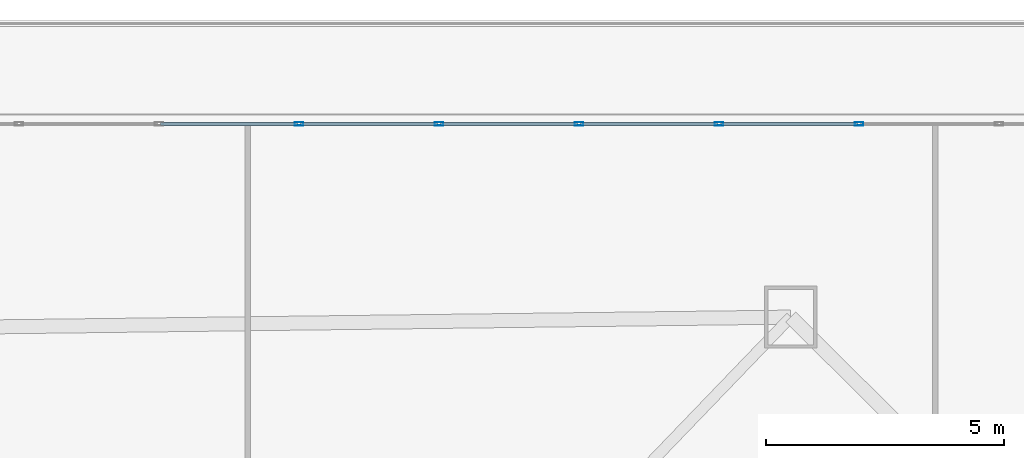
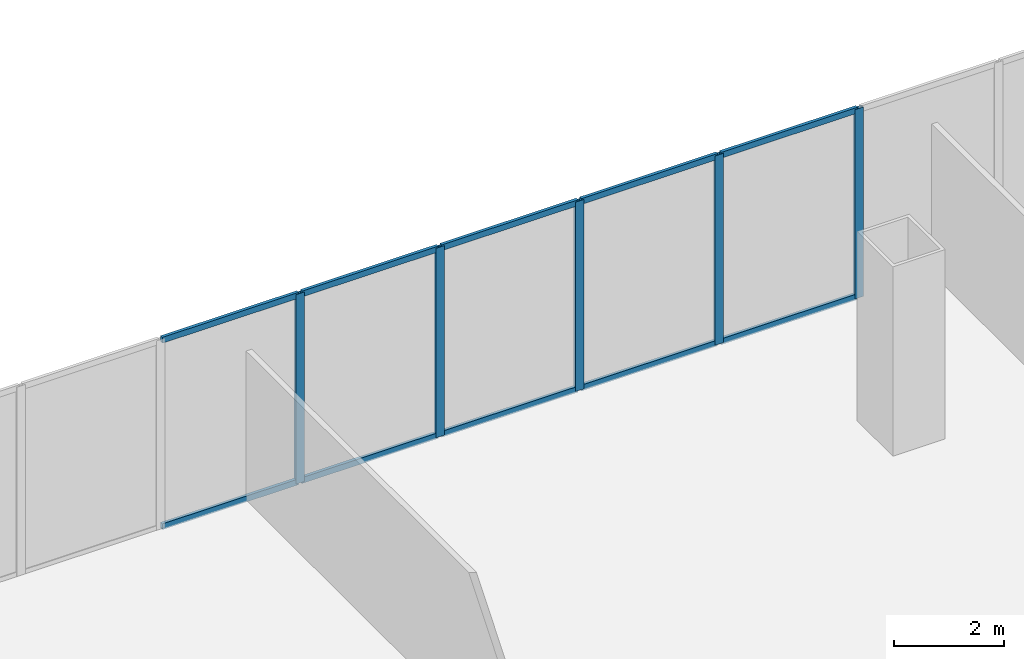
# One storey, part 18 of 31: 15 members, 1 element without a shape of its own.
"""IFC4 building model written with IfcOpenShell, lengths in metres."""

from ifc_helpers import new_model, si_unit, direction, frame, origin, origin_2d, place, context, subcontext, project, spatial, hollow_rectangle, extrude, material, layer, layer_set, material_profile, profile_set, type_object, element, aggregate, save


model = new_model("IFC4")

# Units and contexts
model_context = context("Model", 3, precision=1e-05, world=origin(), true_north=direction((0.0, 1.0)))
body_context = subcontext(model_context, "Body", "Model", "MODEL_VIEW")
ifc_project = project(units=[si_unit("LENGTHUNIT", "METRE"), si_unit("AREAUNIT", "SQUARE_METRE"), si_unit("VOLUMEUNIT", "CUBIC_METRE"), si_unit("PLANEANGLEUNIT", "RADIAN"), si_unit("MASSUNIT", "GRAM", prefix="KILO")], contexts=[model_context])

# Site, building, storey
site_placement = place(None, origin())
site = spatial("IfcSite", under=ifc_project, at=site_placement, CompositionType="ELEMENT")
building_placement = place(site_placement, origin())
building = spatial("IfcBuilding", under=site, at=building_placement, Name="Caelvoria Tower", CompositionType="ELEMENT")
storey_placement = place(building_placement, frame((0.0, 0.0, 9.5)))
storey = spatial("IfcBuildingStorey", under=building, at=storey_placement, Name="L02", CompositionType="ELEMENT", Elevation=9.5)

# Curtain wall, members
ifc_material_1 = material(Name="Anodised Bronze Aluminium and Low-E Glass", Category="aluminium")
ifc_layer = layer(ifc_material_1, 0.199951171875, Name="Anodised Bronze Aluminium and Low-E Glass")
ifc_layer_set = layer_set([ifc_layer], Name="CW System 1 Podium Arcade Unitised Glazing - Anodised Bronze Aluminium and Low-E Glass")
curtain_wall_type = type_object("IfcCurtainWallType", Name="CW System 1 Podium Arcade Unitised Glazing", PredefinedType="NOTDEFINED", material=ifc_layer_set)
curtain_wall_placement = place(storey_placement, origin())
curtain_wall = element("IfcCurtainWall", 1, at=curtain_wall_placement, inside=storey, type_object=curtain_wall_type, Name="CW-01 Curtain Wall L02-E4", PredefinedType="NOTDEFINED")
ifc_material_2 = material(Name="Anodised Bronze Architectural Aluminium", Category="aluminium")
ifc_material_profile_1 = material_profile(ifc_material_2, hollow_rectangle(XDim=0.070068359375, YDim=0.179931640625, WallThickness=0.00390625, at=origin_2d()), Name="Anodised Bronze Architectural Aluminium")
ifc_profile_set_1 = profile_set([ifc_material_profile_1], Name="CW_MULL_70X180 - Anodised Bronze Architectural Aluminium")
member_type_1 = type_object("IfcMemberType", Name="Curtain Wall Mullion 70x180 Bronze Aluminium", PredefinedType="MULLION", material=ifc_profile_set_1)
member_1_placement = place(storey_placement, frame((69.490966796875, 57.6201171875, 0.0), z_axis=(0.0, 0.0, 1.0), x_axis=(0.0, -1.0, 0.0)))
member_1 = element("IfcMember", 2, at=member_1_placement, type_object=member_type_1, Name="CW-01 mullion 4", PredefinedType="MULLION", context=body_context, shape_type="SweptSolid", body=[
    extrude(hollow_rectangle(XDim=0.070068359375, YDim=0.179931640625, WallThickness=0.00390625, at=origin_2d()), origin(), (0.0, 0.0, 1.0), 4.2099609375),
])
member_2_placement = place(storey_placement, frame((66.554443359375, 57.6201171875, 0.0), z_axis=(0.0, 0.0, 1.0), x_axis=(0.0, -1.0, 0.0)))
member_2 = element("IfcMember", 3, at=member_2_placement, type_object=member_type_1, Name="CW-01 mullion 5", PredefinedType="MULLION", context=body_context, shape_type="SweptSolid", body=[
    extrude(hollow_rectangle(XDim=0.070068359375, YDim=0.179931640625, WallThickness=0.00390625, at=origin_2d()), origin(), (0.0, 0.0, 1.0), 4.2099609375),
])
member_3_placement = place(storey_placement, frame((63.6181640625, 57.6201171875, 0.0), z_axis=(0.0, 0.0, 1.0), x_axis=(0.0, -1.0, 0.0)))
member_3 = element("IfcMember", 4, at=member_3_placement, type_object=member_type_1, Name="CW-01 mullion 6", PredefinedType="MULLION", context=body_context, shape_type="SweptSolid", body=[
    extrude(hollow_rectangle(XDim=0.070068359375, YDim=0.179931640625, WallThickness=0.00390625, at=origin_2d()), origin(), (0.0, 0.0, 1.0), 4.2099609375),
])
member_4_placement = place(storey_placement, frame((60.681884765625, 57.6201171875, 0.0), z_axis=(0.0, 0.0, 1.0), x_axis=(0.0, -1.0, 0.0)))
member_4 = element("IfcMember", 5, at=member_4_placement, type_object=member_type_1, Name="CW-01 mullion 7", PredefinedType="MULLION", context=body_context, shape_type="SweptSolid", body=[
    extrude(hollow_rectangle(XDim=0.070068359375, YDim=0.179931640625, WallThickness=0.00390625, at=origin_2d()), origin(), (0.0, 0.0, 1.0), 4.2099609375),
])
member_5_placement = place(storey_placement, frame((57.745361328125, 57.6201171875, 0.0), z_axis=(0.0, 0.0, 1.0), x_axis=(0.0, -1.0, 0.0)))
member_5 = element("IfcMember", 6, at=member_5_placement, type_object=member_type_1, Name="CW-01 mullion 8", PredefinedType="MULLION", context=body_context, shape_type="SweptSolid", body=[
    extrude(hollow_rectangle(XDim=0.070068359375, YDim=0.179931640625, WallThickness=0.00390625, at=origin_2d()), origin(), (0.0, 0.0, 1.0), 4.2099609375),
])
ifc_material_profile_2 = material_profile(ifc_material_2, hollow_rectangle(XDim=0.06494140625, YDim=0.1298828125, WallThickness=0.00341796875, at=origin_2d()), Name="Anodised Bronze Architectural Aluminium")
ifc_profile_set_2 = profile_set([ifc_material_profile_2], Name="CW_TRAN_65X130 - Anodised Bronze Architectural Aluminium")
member_type_2 = type_object("IfcMemberType", Name="Curtain Wall Transom 65x130 Bronze Aluminium", PredefinedType="USERDEFINED", material=ifc_profile_set_2)
member_6_placement = place(storey_placement, frame((69.455810546875, 57.6201171875, 0.032470703125), z_axis=(-1.0, 0.0, 0.0), x_axis=(0.0, -1.0, 0.0)))
member_6 = element("IfcMember", 7, at=member_6_placement, type_object=member_type_2, Name="CW-01 transom 4.1", ObjectType="TRANSOM", PredefinedType="USERDEFINED", context=body_context, shape_type="SweptSolid", body=[
    extrude(hollow_rectangle(XDim=0.06494140625, YDim=0.1298828125, WallThickness=0.00341796875, at=origin_2d()), origin(), (0.0, 0.0, 1.0), 2.8662109375),
])
member_7_placement = place(storey_placement, frame((69.455810546875, 57.6201171875, 4.177490234375), z_axis=(-1.0, 0.0, 0.0), x_axis=(0.0, -1.0, 0.0)))
member_7 = element("IfcMember", 8, at=member_7_placement, type_object=member_type_2, Name="CW-01 transom 4.2", ObjectType="TRANSOM", PredefinedType="USERDEFINED", context=body_context, shape_type="SweptSolid", body=[
    extrude(hollow_rectangle(XDim=0.06494140625, YDim=0.1298828125, WallThickness=0.00341796875, at=origin_2d()), origin(), (0.0, 0.0, 1.0), 2.8662109375),
])
member_8_placement = place(storey_placement, frame((66.51953125, 57.6201171875, 0.032470703125), z_axis=(-1.0, 0.0, 0.0), x_axis=(0.0, -1.0, 0.0)))
member_8 = element("IfcMember", 9, at=member_8_placement, type_object=member_type_2, Name="CW-01 transom 5.1", ObjectType="TRANSOM", PredefinedType="USERDEFINED", context=body_context, shape_type="SweptSolid", body=[
    extrude(hollow_rectangle(XDim=0.06494140625, YDim=0.1298828125, WallThickness=0.00341796875, at=origin_2d()), origin(), (0.0, 0.0, 1.0), 2.866455078125),
])
member_9_placement = place(storey_placement, frame((66.51953125, 57.6201171875, 4.177490234375), z_axis=(-1.0, 0.0, 0.0), x_axis=(0.0, -1.0, 0.0)))
member_9 = element("IfcMember", 10, at=member_9_placement, type_object=member_type_2, Name="CW-01 transom 5.2", ObjectType="TRANSOM", PredefinedType="USERDEFINED", context=body_context, shape_type="SweptSolid", body=[
    extrude(hollow_rectangle(XDim=0.06494140625, YDim=0.1298828125, WallThickness=0.00341796875, at=origin_2d()), origin(), (0.0, 0.0, 1.0), 2.866455078125),
])
member_10_placement = place(storey_placement, frame((63.583251953125, 57.6201171875, 0.032470703125), z_axis=(-1.0, 0.0, 0.0), x_axis=(0.0, -1.0, 0.0)))
member_10 = element("IfcMember", 11, at=member_10_placement, type_object=member_type_2, Name="CW-01 transom 6.1", ObjectType="TRANSOM", PredefinedType="USERDEFINED", context=body_context, shape_type="SweptSolid", body=[
    extrude(hollow_rectangle(XDim=0.06494140625, YDim=0.1298828125, WallThickness=0.00341796875, at=origin_2d()), origin(), (0.0, 0.0, 1.0), 2.866455078125),
])
member_11_placement = place(storey_placement, frame((63.583251953125, 57.6201171875, 4.177490234375), z_axis=(-1.0, 0.0, 0.0), x_axis=(0.0, -1.0, 0.0)))
member_11 = element("IfcMember", 12, at=member_11_placement, type_object=member_type_2, Name="CW-01 transom 6.2", ObjectType="TRANSOM", PredefinedType="USERDEFINED", context=body_context, shape_type="SweptSolid", body=[
    extrude(hollow_rectangle(XDim=0.06494140625, YDim=0.1298828125, WallThickness=0.00341796875, at=origin_2d()), origin(), (0.0, 0.0, 1.0), 2.866455078125),
])
member_12_placement = place(storey_placement, frame((60.646728515625, 57.6201171875, 0.032470703125), z_axis=(-1.0, 0.0, 0.0), x_axis=(0.0, -1.0, 0.0)))
member_12 = element("IfcMember", 13, at=member_12_placement, type_object=member_type_2, Name="CW-01 transom 7.1", ObjectType="TRANSOM", PredefinedType="USERDEFINED", context=body_context, shape_type="SweptSolid", body=[
    extrude(hollow_rectangle(XDim=0.06494140625, YDim=0.1298828125, WallThickness=0.00341796875, at=origin_2d()), origin(), (0.0, 0.0, 1.0), 2.8662109375),
])
member_13_placement = place(storey_placement, frame((60.646728515625, 57.6201171875, 4.177490234375), z_axis=(-1.0, 0.0, 0.0), x_axis=(0.0, -1.0, 0.0)))
member_13 = element("IfcMember", 14, at=member_13_placement, type_object=member_type_2, Name="CW-01 transom 7.2", ObjectType="TRANSOM", PredefinedType="USERDEFINED", context=body_context, shape_type="SweptSolid", body=[
    extrude(hollow_rectangle(XDim=0.06494140625, YDim=0.1298828125, WallThickness=0.00341796875, at=origin_2d()), origin(), (0.0, 0.0, 1.0), 2.8662109375),
])
member_14_placement = place(storey_placement, frame((57.71044921875, 57.6201171875, 0.032470703125), z_axis=(-1.0, 0.0, 0.0), x_axis=(0.0, -1.0, 0.0)))
member_14 = element("IfcMember", 15, at=member_14_placement, type_object=member_type_2, Name="CW-01 transom 8.1", ObjectType="TRANSOM", PredefinedType="USERDEFINED", context=body_context, shape_type="SweptSolid", body=[
    extrude(hollow_rectangle(XDim=0.06494140625, YDim=0.1298828125, WallThickness=0.00341796875, at=origin_2d()), origin(), (0.0, 0.0, 1.0), 2.866455078125),
])
member_15_placement = place(storey_placement, frame((57.71044921875, 57.6201171875, 4.177490234375), z_axis=(-1.0, 0.0, 0.0), x_axis=(0.0, -1.0, 0.0)))
member_15 = element("IfcMember", 16, at=member_15_placement, type_object=member_type_2, Name="CW-01 transom 8.2", ObjectType="TRANSOM", PredefinedType="USERDEFINED", context=body_context, shape_type="SweptSolid", body=[
    extrude(hollow_rectangle(XDim=0.06494140625, YDim=0.1298828125, WallThickness=0.00341796875, at=origin_2d()), origin(), (0.0, 0.0, 1.0), 2.866455078125),
])
aggregate(curtain_wall, [member_1, member_2, member_3, member_4, member_5, member_6, member_7, member_8, member_9, member_10, member_11, member_12, member_13, member_14, member_15])

save(model, "model.ifc")
